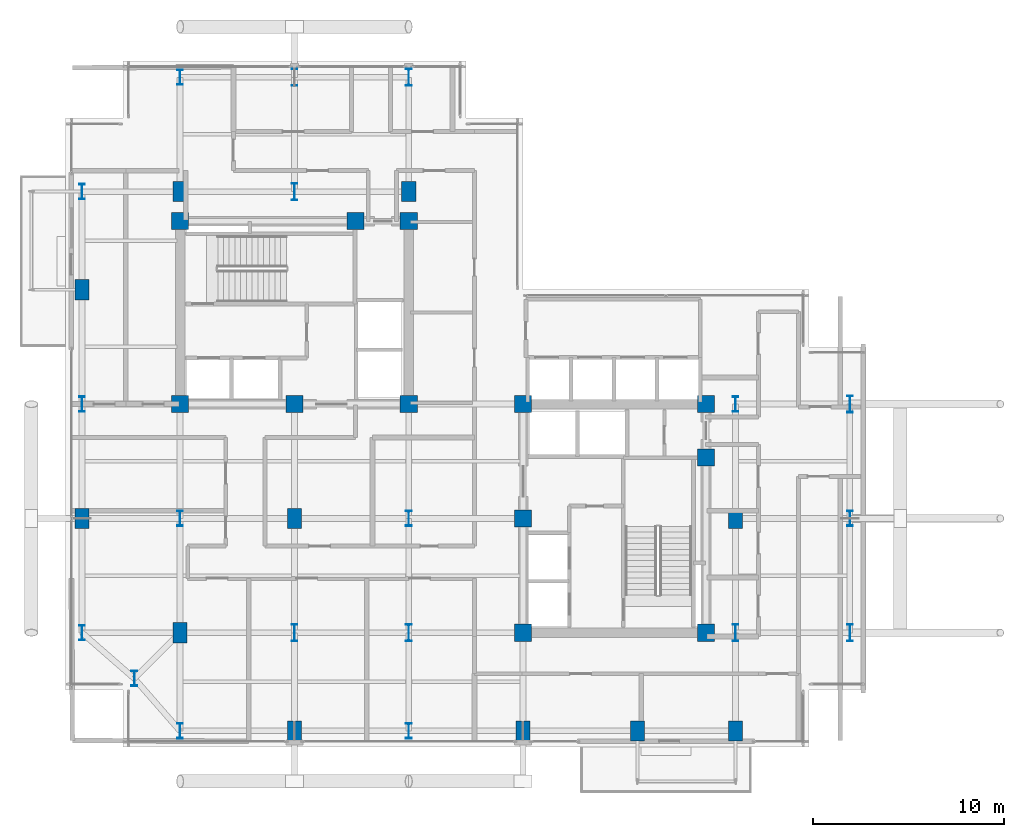
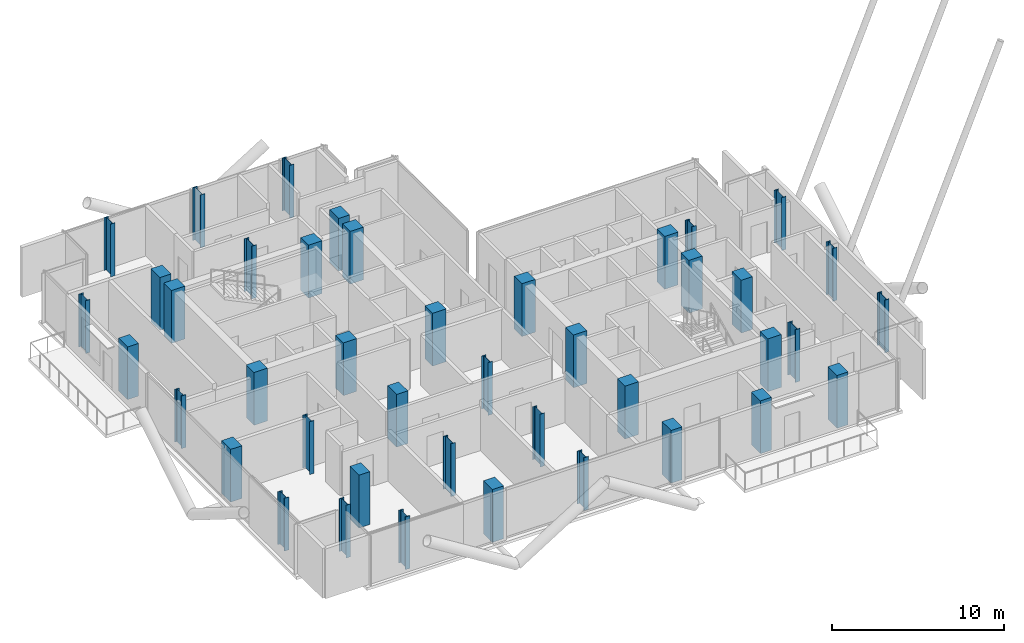
# One storey, part 1 of 26: 42 columns.
"""IFC4 building model written with IfcOpenShell, lengths in metres."""

from ifc_helpers import new_model, si_unit, direction, frame, origin, origin_2d, place, context, subcontext, project, spatial, rectangle, i_section, extrude, material, material_profile, profile_set, type_object, element, save


model = new_model("IFC4")

# Units and contexts
model_context = context("Model", 3, precision=1e-05, world=origin(), true_north=direction((0.0, 1.0)))
body_context = subcontext(model_context, "Body", "Model", "MODEL_VIEW")
ifc_project = project(units=[si_unit("LENGTHUNIT", "METRE"), si_unit("AREAUNIT", "SQUARE_METRE"), si_unit("VOLUMEUNIT", "CUBIC_METRE"), si_unit("PLANEANGLEUNIT", "RADIAN"), si_unit("MASSUNIT", "GRAM", prefix="KILO"), si_unit("THERMODYNAMICTEMPERATUREUNIT", "KELVIN"), si_unit("POWERUNIT", "WATT")], contexts=[model_context])

# Site, building, storey
site_placement = place(None, origin())
site = spatial("IfcSite", under=ifc_project, at=site_placement, CompositionType="ELEMENT")
building_placement = place(site_placement, origin())
building = spatial("IfcBuilding", under=site, at=building_placement, Name="Svarakhadi Broadcast Tower", CompositionType="ELEMENT")
storey_placement = place(building_placement, frame((0.0, 0.0, 184.199951171875)))
storey = spatial("IfcBuildingStorey", under=building, at=storey_placement, Name="L45", CompositionType="ELEMENT", Elevation=184.199951171875)

# Columns
ifc_material_1 = material(Name="Concrete C50/60 (IS 456 M60)", Category="concrete")
ifc_material_profile_1 = material_profile(ifc_material_1, rectangle(XDim=0.75, YDim=1.050048828125, at=origin_2d()), Name="RC 750x1050")
ifc_profile_set_1 = profile_set([ifc_material_profile_1], Name="Concrete C50/60 (IS 456 M60)")
column_type_1 = type_object("IfcColumnType", Name="Col_RC750", PredefinedType="COLUMN", material=ifc_profile_set_1)
for number, where, z_axis, x_axis, name in (
    (1, (0.85009765625, 12.0, 0.0), (0.0, 0.0, 1.0), (1.0, 0.0, 0.0), "L45 Column G04"),
    (2, (0.85009765625, 24.0, 0.0), (0.0, 0.0, 1.0), (1.0, 0.0, 0.0), "L45 Column G06"),
    (3, (6.0, 6.0, 0.0), (0.0, 0.0, 1.0), (1.0, 0.0, 0.0), "L45 Column G12"),
    (4, (6.0, 29.14990234375, 0.0), (0.0, 0.0, 1.0), (1.0, 0.0, 0.0), "L45 Column G14"),
    (5, (12.0, 0.85009765625, 0.0), (0.0, 0.0, 1.0), (1.0, 0.0, 0.0), "L45 Column G18"),
    (6, (12.0, 12.0, 0.0), (0.0, 0.0, 1.0), (1.0, 0.0, 0.0), "L45 Column G20"),
    (7, (18.0, 29.14990234375, 0.0), (0.0, 0.0, 1.0), (1.0, 0.0, 0.0), "L45 Column G28"),
    (8, (24.0, 0.85009765625, 0.0), (0.0, 0.0, 1.0), (1.0, 0.0, 0.0), "L45 Column G32"),
    (9, (30.0, 0.85009765625, 0.0), (0.0, 0.0, 1.0), (1.0, 0.0, 0.0), "L45 Column G36"),
    (10, (35.14990234375, 0.85009765625, 0.0), (0.0, 0.0, 1.0), (1.0, 0.0, 0.0), "L45 Column G38"),
    (11, (35.14990234375, 12.0, 0.0), (0.0, 0.0, 1.0), (1.0, 0.0, 0.0), "L45 Column G40"),
):
    element("IfcColumn", number, at=place(storey_placement, frame(where, z_axis=z_axis, x_axis=x_axis)), inside=storey, type_object=column_type_1, Name=name, PredefinedType="COLUMN", context=body_context, shape_type="SweptSolid", body=[
        extrude(rectangle(XDim=0.75, YDim=1.050048828125, at=origin_2d()), origin(), (0.0, 0.0, 1.0), 3.75),
    ])
ifc_material_profile_2 = material_profile(ifc_material_1, rectangle(XDim=0.89990234375, YDim=0.89990234375, at=origin_2d()), Name="RC 900x900")
ifc_profile_set_2 = profile_set([ifc_material_profile_2], Name="Concrete C50/60 (IS 456 M60)")
column_type_2 = type_object("IfcColumnType", Name="Col_RC900", PredefinedType="COLUMN", material=ifc_profile_set_2)
for number, where, z_axis, x_axis, name in (
    (12, (6.0, 18.0, 0.0), (0.0, 0.0, 1.0), (1.0, 0.0, 0.0), "L45 Column CW1"),
    (13, (12.0, 18.0, 0.0), (0.0, 0.0, 1.0), (1.0, 0.0, 0.0), "L45 Column CW2"),
    (14, (18.0, 18.0, 0.0), (0.0, 0.0, 1.0), (1.0, 0.0, 0.0), "L45 Column CW3"),
    (15, (6.0, 27.60009765625, 0.0), (0.0, 0.0, 1.0), (1.0, 0.0, 0.0), "L45 Column CW4"),
    (16, (15.199951171875, 27.60009765625, 0.0), (0.0, 0.0, 1.0), (1.0, 0.0, 0.0), "L45 Column CW5"),
    (17, (18.0, 27.60009765625, 0.0), (0.0, 0.0, 1.0), (1.0, 0.0, 0.0), "L45 Column CW6"),
    (18, (24.0, 6.0, 0.0), (0.0, 0.0, 1.0), (1.0, 0.0, 0.0), "L45 Column CE1"),
    (19, (24.0, 12.0, 0.0), (0.0, 0.0, 1.0), (1.0, 0.0, 0.0), "L45 Column CE2"),
    (20, (24.0, 18.0, 0.0), (0.0, 0.0, 1.0), (1.0, 0.0, 0.0), "L45 Column CE3"),
    (21, (33.60009765625, 6.0, 0.0), (0.0, 0.0, 1.0), (1.0, 0.0, 0.0), "L45 Column CE4"),
    (22, (33.60009765625, 15.199951171875, 0.0), (0.0, 0.0, 1.0), (1.0, 0.0, 0.0), "L45 Column CE5"),
    (23, (33.60009765625, 18.0, 0.0), (0.0, 0.0, 1.0), (1.0, 0.0, 0.0), "L45 Column CE6"),
):
    element("IfcColumn", number, at=place(storey_placement, frame(where, z_axis=z_axis, x_axis=x_axis)), inside=storey, type_object=column_type_2, Name=name, PredefinedType="COLUMN", context=body_context, shape_type="SweptSolid", body=[
        extrude(rectangle(XDim=0.89990234375, YDim=0.89990234375, at=origin_2d()), origin(), (0.0, 0.0, 1.0), 3.75),
    ])
ifc_material_2 = material(Name="Steel S460ML (IS 2062 E450BR)", Category="steel")
ifc_material_profile_3 = material_profile(ifc_material_2, i_section(OverallWidth=0.300048828125, OverallDepth=0.800048828125, WebThickness=0.017578125, FlangeThickness=0.032958984375, FilletRadius=0.030029296875, at=origin_2d()), Name="WPB 800x300x262")
ifc_profile_set_3 = profile_set([ifc_material_profile_3], Name="Steel S460ML (IS 2062 E450BR)")
column_type_3 = type_object("IfcColumnType", Name="Col_WPB800", PredefinedType="COLUMN", material=ifc_profile_set_3)
for number, where, z_axis, x_axis, name in (
    (24, (3.60009765625, 3.60009765625, 0.0), (0.0, 0.0, 1.0), (1.0, 0.0, 0.0), "L45 Column G01"),
    (25, (0.85009765625, 6.0, 0.0), (0.0, 0.0, 1.0), (1.0, 0.0, 0.0), "L45 Column G03"),
    (26, (0.85009765625, 18.0, 0.0), (0.0, 0.0, 1.0), (1.0, 0.0, 0.0), "L45 Column G05"),
    (27, (0.85009765625, 29.14990234375, 0.0), (0.0, 0.0, 1.0), (1.0, 0.0, 0.0), "L45 Column G07"),
    (28, (6.0, 0.85009765625, 0.0), (0.0, 0.0, 1.0), (1.0, 0.0, 0.0), "L45 Column G11"),
    (29, (6.0, 12.0, 0.0), (0.0, 0.0, 1.0), (1.0, 0.0, 0.0), "L45 Column G13"),
    (30, (6.0, 35.14990234375, 0.0), (0.0, 0.0, 1.0), (1.0, 0.0, 0.0), "L45 Column G15"),
    (31, (18.0, 0.85009765625, 0.0), (0.0, 0.0, 1.0), (1.0, 0.0, 0.0), "L45 Column G25"),
    (32, (18.0, 12.0, 0.0), (0.0, 0.0, 1.0), (1.0, 0.0, 0.0), "L45 Column G27"),
    (33, (35.14990234375, 18.0, 0.0), (0.0, 0.0, 1.0), (1.0, 0.0, 0.0), "L45 Column G41"),
    (34, (41.14990234375, 12.0, 0.0), (0.0, 0.0, 1.0), (1.0, 0.0, 0.0), "L45 Column G45"),
):
    element("IfcColumn", number, at=place(storey_placement, frame(where, z_axis=z_axis, x_axis=x_axis)), inside=storey, type_object=column_type_3, Name=name, PredefinedType="COLUMN", context=body_context, shape_type="SweptSolid", body=[
        extrude(i_section(OverallWidth=0.300048828125, OverallDepth=0.800048828125, WebThickness=0.017578125, FlangeThickness=0.032958984375, FilletRadius=0.030029296875, at=origin_2d()), origin(), (0.0, 0.0, 1.0), 3.75),
    ])
ifc_material_profile_4 = material_profile(ifc_material_2, i_section(OverallWidth=0.300048828125, OverallDepth=0.89990234375, WebThickness=0.0185546875, FlangeThickness=0.034912109375, FilletRadius=0.030029296875, at=origin_2d()), Name="WPB 900x300x291")
ifc_profile_set_4 = profile_set([ifc_material_profile_4], Name="Steel S460ML (IS 2062 E450BR)")
column_type_4 = type_object("IfcColumnType", Name="Col_WPB900", PredefinedType="COLUMN", material=ifc_profile_set_4)
for number, where, z_axis, x_axis, name in (
    (35, (12.0, 6.0, 0.0), (0.0, 0.0, 1.0), (1.0, 0.0, 0.0), "L45 Column G19"),
    (36, (12.0, 29.14990234375, 0.0), (0.0, 0.0, 1.0), (1.0, 0.0, 0.0), "L45 Column G21"),
    (37, (12.0, 35.14990234375, 0.0), (0.0, 0.0, 1.0), (1.0, 0.0, 0.0), "L45 Column G22"),
    (38, (18.0, 6.0, 0.0), (0.0, 0.0, 1.0), (1.0, 0.0, 0.0), "L45 Column G26"),
    (39, (18.0, 35.14990234375, 0.0), (0.0, 0.0, 1.0), (1.0, 0.0, 0.0), "L45 Column G29"),
    (40, (35.14990234375, 6.0, 0.0), (0.0, 0.0, 1.0), (1.0, 0.0, 0.0), "L45 Column G39"),
    (41, (41.14990234375, 6.0, 0.0), (0.0, 0.0, 1.0), (1.0, 0.0, 0.0), "L45 Column G44"),
    (42, (41.14990234375, 18.0, 0.0), (0.0, 0.0, 1.0), (1.0, 0.0, 0.0), "L45 Column G46"),
):
    element("IfcColumn", number, at=place(storey_placement, frame(where, z_axis=z_axis, x_axis=x_axis)), inside=storey, type_object=column_type_4, Name=name, PredefinedType="COLUMN", context=body_context, shape_type="SweptSolid", body=[
        extrude(i_section(OverallWidth=0.300048828125, OverallDepth=0.89990234375, WebThickness=0.0185546875, FlangeThickness=0.034912109375, FilletRadius=0.030029296875, at=origin_2d()), origin(), (0.0, 0.0, 1.0), 3.75),
    ])

save(model, "model.ifc")
